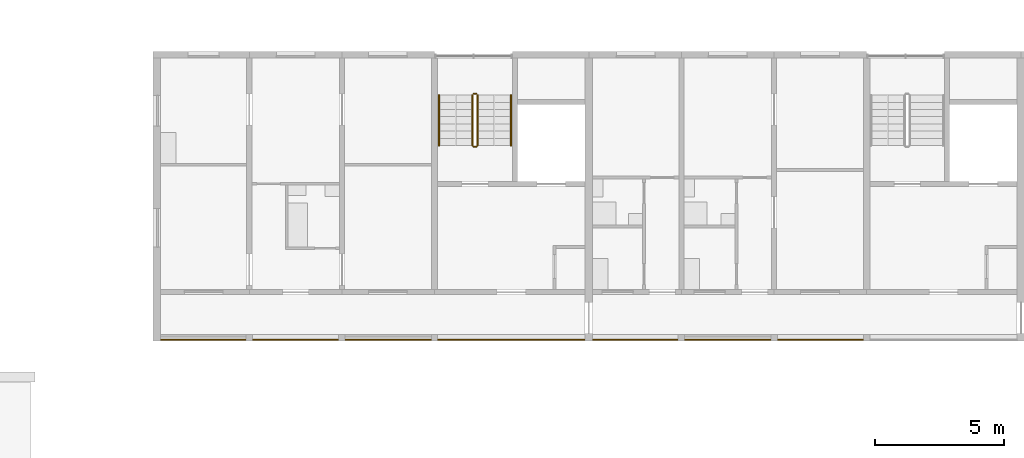
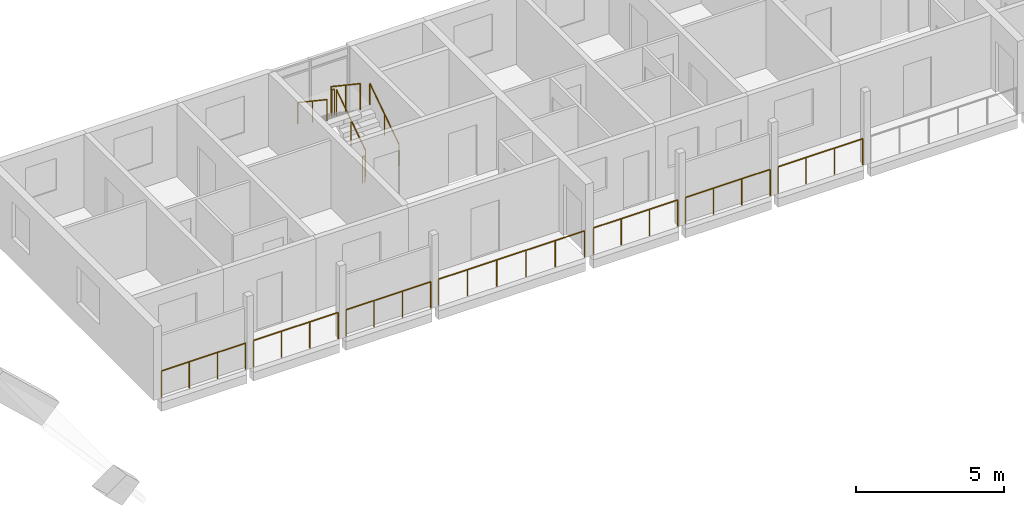
# One storey, part 89 of 98: 13 railings.
"""IFC4 building model written with IfcOpenShell, lengths in metres."""

from ifc_helpers import new_model, si_unit, direction, frame, origin, origin_2d, place, context, subcontext, project, spatial, circle, extrude, material, type_object, element, save


model = new_model("IFC4")

# Units and contexts
model_context = context("Model", 3, precision=1e-05, world=origin(), true_north=direction((0.0, 1.0)))
body_context = subcontext(model_context, "Body", "Model", "MODEL_VIEW")
ifc_project = project(units=[si_unit("LENGTHUNIT", "METRE"), si_unit("AREAUNIT", "SQUARE_METRE"), si_unit("VOLUMEUNIT", "CUBIC_METRE"), si_unit("PLANEANGLEUNIT", "RADIAN"), si_unit("MASSUNIT", "GRAM", prefix="KILO")], contexts=[model_context])

# Site, building, storey
site_placement = place(None, origin())
site = spatial("IfcSite", under=ifc_project, at=site_placement, CompositionType="ELEMENT")
building_placement = place(site_placement, origin())
building = spatial("IfcBuilding", under=site, at=building_placement, Name="Ridgestep Commons", CompositionType="ELEMENT")
storey_placement = place(building_placement, frame((0.0, 0.0, 12.0)))
storey = spatial("IfcBuildingStorey", under=building, at=storey_placement, Name="L04", CompositionType="ELEMENT", Elevation=12.0)

# Railings
ifc_material_1 = material(Name="Structural steel S355JR", Category="steel")
railing_type_1 = type_object("IfcRailingType", Name="Guard 1100", PredefinedType="GUARDRAIL", material=ifc_material_1)
railing_1_placement = place(storey_placement, frame((146.970947265625, 66.050048828125, 0.0)))
element("IfcRailing", 1, at=railing_1_placement, inside=storey, type_object=railing_type_1, Name="Gallery guard C 04.1", PredefinedType="GUARDRAIL", context=body_context, shape_type="SweptSolid", body=[
    extrude(circle(Radius=0.02392578125, at=origin_2d()), frame((0.0, 0.0, 1.076171875), z_axis=(1.0, 0.0, 0.0), x_axis=(0.0, 1.0, 0.0)), (0.0, 0.0, 1.0), 3.282958984375),
    extrude(circle(Radius=0.02099609375, at=origin_2d()), origin(), (0.0, 0.0, 1.0), 1.052001953125),
    extrude(circle(Radius=0.02099609375, at=origin_2d()), frame((1.09423828125, 0.0, 0.0)), (0.0, 0.0, 1.0), 1.052001953125),
    extrude(circle(Radius=0.02099609375, at=origin_2d()), frame((2.188720703125, 0.0, 0.0)), (0.0, 0.0, 1.0), 1.052001953125),
    extrude(circle(Radius=0.02099609375, at=origin_2d()), frame((3.282958984375, 0.0, 0.0)), (0.0, 0.0, 1.0), 1.052001953125),
])
for number, where, name in (
    (2, (150.5458984375, 66.050048828125, 0.0), "Gallery guard C 04.2"),
    (3, (154.14599609375, 66.050048828125, 0.0), "Gallery guard C 04.3"),
):
    element("IfcRailing", number, at=place(storey_placement, frame(where)), inside=storey, type_object=railing_type_1, Name=name, PredefinedType="GUARDRAIL", context=body_context, shape_type="SweptSolid", body=[
        extrude(circle(Radius=0.02392578125, at=origin_2d()), frame((0.0, 0.0, 1.076171875), z_axis=(1.0, 0.0, 0.0), x_axis=(0.0, 1.0, 0.0)), (0.0, 0.0, 1.0), 3.30810546875),
        extrude(circle(Radius=0.02099609375, at=origin_2d()), origin(), (0.0, 0.0, 1.0), 1.052001953125),
        extrude(circle(Radius=0.02099609375, at=origin_2d()), frame((1.102783203125, 0.0, 0.0)), (0.0, 0.0, 1.0), 1.052001953125),
        extrude(circle(Radius=0.02099609375, at=origin_2d()), frame((2.205322265625, 0.0, 0.0)), (0.0, 0.0, 1.0), 1.052001953125),
        extrude(circle(Radius=0.02099609375, at=origin_2d()), frame((3.30810546875, 0.0, 0.0)), (0.0, 0.0, 1.0), 1.052001953125),
    ])
railing_2_placement = place(storey_placement, frame((157.74609375, 66.050048828125, 0.0)))
element("IfcRailing", 4, at=railing_2_placement, inside=storey, type_object=railing_type_1, Name="Gallery guard C 04.4", PredefinedType="GUARDRAIL", context=body_context, shape_type="SweptSolid", body=[
    extrude(circle(Radius=0.02392578125, at=origin_2d()), frame((0.0, 0.0, 1.076171875), z_axis=(1.0, 0.0, 0.0), x_axis=(0.0, 1.0, 0.0)), (0.0, 0.0, 1.0), 5.682861328125),
    extrude(circle(Radius=0.02099609375, at=origin_2d()), origin(), (0.0, 0.0, 1.0), 1.052001953125),
    extrude(circle(Radius=0.02099609375, at=origin_2d()), frame((1.136474609375, 0.0, 0.0)), (0.0, 0.0, 1.0), 1.052001953125),
    extrude(circle(Radius=0.02099609375, at=origin_2d()), frame((2.273193359375, 0.0, 0.0)), (0.0, 0.0, 1.0), 1.052001953125),
    extrude(circle(Radius=0.02099609375, at=origin_2d()), frame((3.40966796875, 0.0, 0.0)), (0.0, 0.0, 1.0), 1.052001953125),
    extrude(circle(Radius=0.02099609375, at=origin_2d()), frame((4.54638671875, 0.0, 0.0)), (0.0, 0.0, 1.0), 1.052001953125),
    extrude(circle(Radius=0.02099609375, at=origin_2d()), frame((5.682861328125, 0.0, 0.0)), (0.0, 0.0, 1.0), 1.052001953125),
])
railing_3_placement = place(storey_placement, frame((163.77099609375, 66.050048828125, 0.0)))
element("IfcRailing", 5, at=railing_3_placement, inside=storey, type_object=railing_type_1, Name="Gallery guard C 04.5", PredefinedType="GUARDRAIL", context=body_context, shape_type="SweptSolid", body=[
    extrude(circle(Radius=0.02392578125, at=origin_2d()), frame((0.0, 0.0, 1.076171875), z_axis=(1.0, 0.0, 0.0), x_axis=(0.0, 1.0, 0.0)), (0.0, 0.0, 1.0), 3.282958984375),
    extrude(circle(Radius=0.02099609375, at=origin_2d()), origin(), (0.0, 0.0, 1.0), 1.052001953125),
    extrude(circle(Radius=0.02099609375, at=origin_2d()), frame((1.09423828125, 0.0, 0.0)), (0.0, 0.0, 1.0), 1.052001953125),
    extrude(circle(Radius=0.02099609375, at=origin_2d()), frame((2.188720703125, 0.0, 0.0)), (0.0, 0.0, 1.0), 1.052001953125),
    extrude(circle(Radius=0.02099609375, at=origin_2d()), frame((3.282958984375, 0.0, 0.0)), (0.0, 0.0, 1.0), 1.052001953125),
])
railing_4_placement = place(storey_placement, frame((167.345947265625, 66.050048828125, 0.0)))
element("IfcRailing", 6, at=railing_4_placement, inside=storey, type_object=railing_type_1, Name="Gallery guard C 04.6", PredefinedType="GUARDRAIL", context=body_context, shape_type="SweptSolid", body=[
    extrude(circle(Radius=0.02392578125, at=origin_2d()), frame((0.0, 0.0, 1.076171875), z_axis=(1.0, 0.0, 0.0), x_axis=(0.0, 1.0, 0.0)), (0.0, 0.0, 1.0), 3.30810546875),
    extrude(circle(Radius=0.02099609375, at=origin_2d()), origin(), (0.0, 0.0, 1.0), 1.052001953125),
    extrude(circle(Radius=0.02099609375, at=origin_2d()), frame((1.102783203125, 0.0, 0.0)), (0.0, 0.0, 1.0), 1.052001953125),
    extrude(circle(Radius=0.02099609375, at=origin_2d()), frame((2.205322265625, 0.0, 0.0)), (0.0, 0.0, 1.0), 1.052001953125),
    extrude(circle(Radius=0.02099609375, at=origin_2d()), frame((3.30810546875, 0.0, 0.0)), (0.0, 0.0, 1.0), 1.052001953125),
])
railing_5_placement = place(storey_placement, frame((170.946044921875, 66.050048828125, 0.0)))
element("IfcRailing", 7, at=railing_5_placement, inside=storey, type_object=railing_type_1, Name="Gallery guard C 04.7", PredefinedType="GUARDRAIL", context=body_context, shape_type="SweptSolid", body=[
    extrude(circle(Radius=0.02392578125, at=origin_2d()), frame((0.0, 0.0, 1.076171875), z_axis=(1.0, 0.0, 0.0), x_axis=(0.0, 1.0, 0.0)), (0.0, 0.0, 1.0), 3.307861328125),
    extrude(circle(Radius=0.02099609375, at=origin_2d()), origin(), (0.0, 0.0, 1.0), 1.052001953125),
    extrude(circle(Radius=0.02099609375, at=origin_2d()), frame((1.1025390625, 0.0, 0.0)), (0.0, 0.0, 1.0), 1.052001953125),
    extrude(circle(Radius=0.02099609375, at=origin_2d()), frame((2.205322265625, 0.0, 0.0)), (0.0, 0.0, 1.0), 1.052001953125),
    extrude(circle(Radius=0.02099609375, at=origin_2d()), frame((3.307861328125, 0.0, 0.0)), (0.0, 0.0, 1.0), 1.052001953125),
])
ifc_material_2 = material(Name="Structural steel S355JR", Category="steel")
railing_type_2 = type_object("IfcRailingType", Name="Stair guard 1100", PredefinedType="GUARDRAIL", material=ifc_material_2)
railing_6_placement = place(storey_placement, frame((159.27490234375, 73.60009765625, 0.1875)))
element("IfcRailing", 8, at=railing_6_placement, inside=storey, type_object=railing_type_2, Name="L04 C1C stair guard 1", PredefinedType="GUARDRAIL", context=body_context, shape_type="SweptSolid", body=[
    extrude(circle(Radius=0.02392578125, at=origin_2d()), frame((0.0, 0.0, 1.076171875), z_axis=(0.0, 0.830902050051, 0.556418712142), x_axis=(-1.0, 0.0, 0.0)), (0.0, 0.0, 1.0), 2.35888671875),
    extrude(circle(Radius=0.02099609375, at=origin_2d()), origin(), (0.0, 0.0, 1.0), 1.052001953125),
    extrude(circle(Radius=0.02099609375, at=origin_2d()), frame((0.0, 0.97998046875, 0.65625)), (0.0, 0.0, 1.0), 1.052001953125),
    extrude(circle(Radius=0.02099609375, at=origin_2d()), frame((0.0, 1.9599609375, 1.3125)), (0.0, 0.0, 1.0), 1.052001953125),
])
railing_7_placement = place(storey_placement, frame((159.22509765625, 75.610107421875, 1.5)))
element("IfcRailing", 9, at=railing_7_placement, inside=storey, type_object=railing_type_2, Name="L04 C1C stair guard 2", PredefinedType="GUARDRAIL", context=body_context, shape_type="SweptSolid", body=[
    extrude(circle(Radius=0.02392578125, at=origin_2d()), frame((0.0, 0.0, 1.076171875), z_axis=(-1.0, 0.0, 0.0), x_axis=(0.0, -1.0, 0.0)), (0.0, 0.0, 1.0), 0.10009765625),
    extrude(circle(Radius=0.02099609375, at=origin_2d()), origin(), (0.0, 0.0, 1.0), 1.052001953125),
    extrude(circle(Radius=0.02099609375, at=origin_2d()), frame((-0.10009765625, 0.0, 0.0)), (0.0, 0.0, 1.0), 1.052001953125),
])
railing_8_placement = place(storey_placement, frame((159.074951171875, 75.56005859375, 1.6875)))
element("IfcRailing", 10, at=railing_8_placement, inside=storey, type_object=railing_type_2, Name="L04 C1C stair guard 3", PredefinedType="GUARDRAIL", context=body_context, shape_type="SweptSolid", body=[
    extrude(circle(Radius=0.02392578125, at=origin_2d()), frame((0.0, 0.0, 1.076171875), z_axis=(0.0, -0.830902050051, 0.556418712142), x_axis=(1.0, 0.0, 0.0)), (0.0, 0.0, 1.0), 2.35888671875),
    extrude(circle(Radius=0.02099609375, at=origin_2d()), origin(), (0.0, 0.0, 1.0), 1.052001953125),
    extrude(circle(Radius=0.02099609375, at=origin_2d()), frame((0.0, -0.97998046875, 0.65625)), (0.0, 0.0, 1.0), 1.052001953125),
    extrude(circle(Radius=0.02099609375, at=origin_2d()), frame((0.0, -1.9599609375, 1.3125)), (0.0, 0.0, 1.0), 1.052001953125),
])
railing_9_placement = place(storey_placement, frame((159.22509765625, 73.550048828125, 0.0)))
element("IfcRailing", 11, at=railing_9_placement, inside=storey, type_object=railing_type_2, Name="L04 C1C stair guard 4", PredefinedType="GUARDRAIL", context=body_context, shape_type="SweptSolid", body=[
    extrude(circle(Radius=0.02392578125, at=origin_2d()), frame((0.0, 0.0, 1.076171875), z_axis=(-1.0, 0.0, 0.0), x_axis=(0.0, -1.0, 0.0)), (0.0, 0.0, 1.0), 0.10009765625),
    extrude(circle(Radius=0.02099609375, at=origin_2d()), origin(), (0.0, 0.0, 1.0), 1.052001953125),
    extrude(circle(Radius=0.02099609375, at=origin_2d()), frame((-0.10009765625, 0.0, 0.0)), (0.0, 0.0, 1.0), 1.052001953125),
])
ifc_material_3 = material(Name="Structural steel S355JR", Category="steel")
railing_type_3 = type_object("IfcRailingType", Name="Stair handrail 900", PredefinedType="HANDRAIL", material=ifc_material_3)
railing_10_placement = place(storey_placement, frame((160.574951171875, 73.60009765625, 0.1875)))
element("IfcRailing", 12, at=railing_10_placement, inside=storey, type_object=railing_type_3, Name="L04 C1C stair handrail 1", PredefinedType="HANDRAIL", context=body_context, shape_type="SweptSolid", body=[
    extrude(circle(Radius=0.02392578125, at=origin_2d()), frame((0.0, 0.0, 0.8759765625), z_axis=(0.0, 0.830902050051, 0.556418712142), x_axis=(-1.0, 0.0, 0.0)), (0.0, 0.0, 1.0), 2.35888671875),
    extrude(circle(Radius=0.02099609375, at=origin_2d()), origin(), (0.0, 0.0, 1.0), 0.851806640625),
    extrude(circle(Radius=0.02099609375, at=origin_2d()), frame((0.0, 0.97998046875, 0.65625)), (0.0, 0.0, 1.0), 0.851806640625),
    extrude(circle(Radius=0.02099609375, at=origin_2d()), frame((0.0, 1.9599609375, 1.3125)), (0.0, 0.0, 1.0), 0.851806640625),
])
railing_11_placement = place(storey_placement, frame((157.77490234375, 75.56005859375, 1.6875)))
element("IfcRailing", 13, at=railing_11_placement, inside=storey, type_object=railing_type_3, Name="L04 C1C stair handrail 2", PredefinedType="HANDRAIL", context=body_context, shape_type="SweptSolid", body=[
    extrude(circle(Radius=0.02392578125, at=origin_2d()), frame((0.0, 0.0, 0.8759765625), z_axis=(0.0, -0.830902050051, 0.556418712142), x_axis=(1.0, 0.0, 0.0)), (0.0, 0.0, 1.0), 2.35888671875),
    extrude(circle(Radius=0.02099609375, at=origin_2d()), origin(), (0.0, 0.0, 1.0), 0.851806640625),
    extrude(circle(Radius=0.02099609375, at=origin_2d()), frame((0.0, -0.97998046875, 0.65625)), (0.0, 0.0, 1.0), 0.851806640625),
    extrude(circle(Radius=0.02099609375, at=origin_2d()), frame((0.0, -1.9599609375, 1.3125)), (0.0, 0.0, 1.0), 0.851806640625),
])

save(model, "model.ifc")
